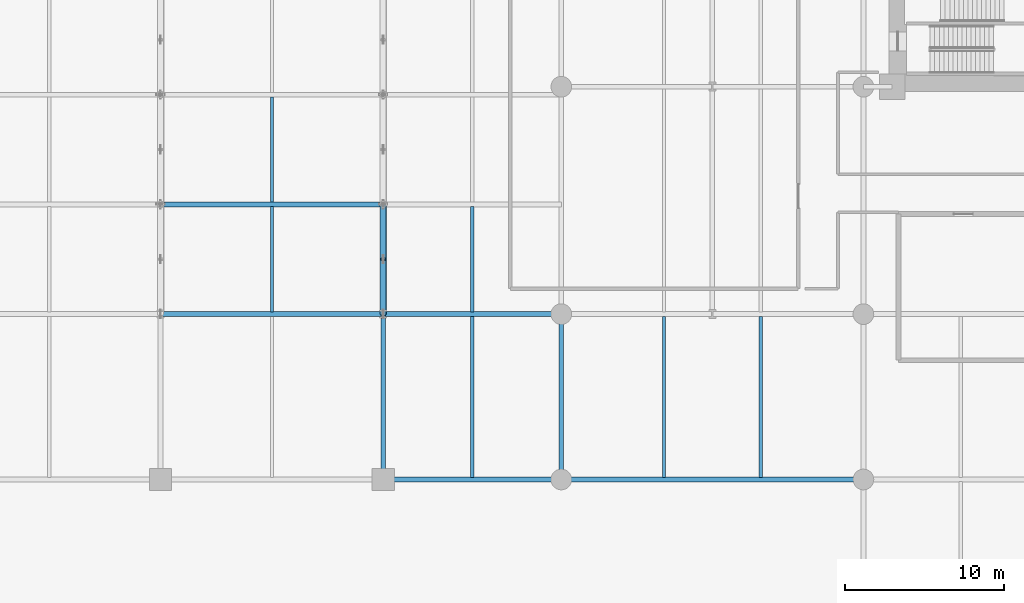
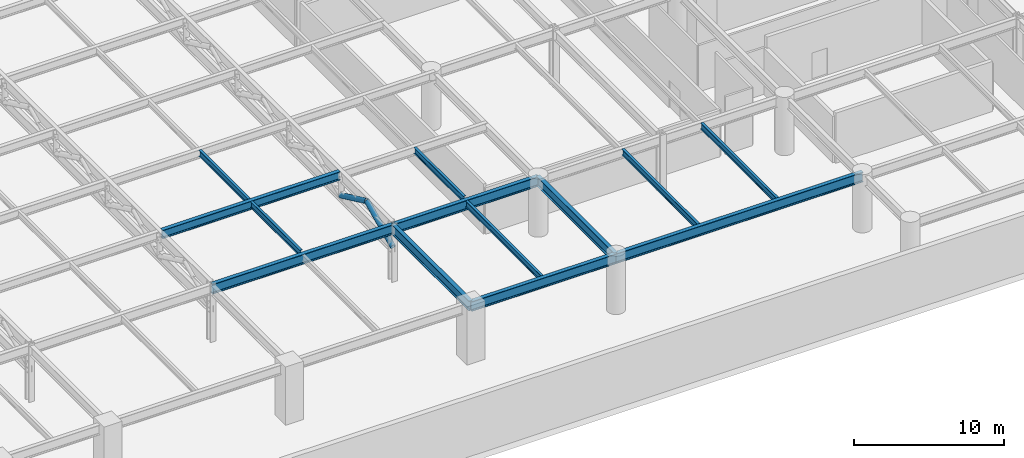
# One storey, part 6 of 40: 13 beams, 2 members.
"""IFC4 building model written with IfcOpenShell, lengths in metres."""

import ifcopenshell
import ifcopenshell.guid

model = None  # the IFC model being written
_history = None  # IfcOwnerHistory: only IFC2X3 demands one
_inside = {}  # id of a spatial element -> (the spatial element, [elements in it])
_under = {}  # id of a project, library or spatial element -> (it, [spatial elements below it])
_declared = {}  # id of a project -> (the project, [libraries it declares])
_typed = {}  # id of a type object -> (the type object, [elements of that type])
_made_of = {}  # id of a material, layer set ... -> (it, [elements and type objects made of it])


def new_model(schema):
    """Start an empty IFC model of exactly this schema.

    Asked for "IFC4X3", IfcOpenShell would pick the latest addendum, in which some entities
    have other attributes; the version numbers below select the first issue.
    IFC2X3 requires an IfcOwnerHistory on every rooted entity: one is made here for all.
    """
    global model, _history
    if schema == "IFC4X3":
        model = ifcopenshell.file(schema_version=(4, 3, 0, 0))
    else:
        model = ifcopenshell.file(schema=schema)
    _inside.clear()
    _under.clear()
    _declared.clear()
    _typed.clear()
    _made_of.clear()
    _history = None
    if model.schema == "IFC2X3":
        org = make("IfcOrganization", Name="unknown")
        user = make(
            "IfcPersonAndOrganization",
            ThePerson=make("IfcPerson", FamilyName="unknown"),
            TheOrganization=org,
        )
        app = make(
            "IfcApplication",
            ApplicationDeveloper=org,
            Version="unknown",
            ApplicationFullName="unknown",
            ApplicationIdentifier="unknown",
        )
        _history = make(
            "IfcOwnerHistory",
            OwningUser=user,
            OwningApplication=app,
            ChangeAction="ADDED",
            CreationDate=0,
        )
    return model


def make(cls, **values):
    """One entity of the class cls with the attributes given. An attribute that is None is left unset."""
    return model.create_entity(
        cls, **{name: value for name, value in values.items() if value is not None}
    )


def rooted(cls, **values):
    """An entity with a GlobalId (a new one), such as an element, a storey or a relation."""
    return make(cls, GlobalId=ifcopenshell.guid.new(), OwnerHistory=_history, **values)


def si_unit(unit_type, name, prefix=None):
    """IfcSIUnit, for example si_unit("LENGTHUNIT", "METRE", prefix="MILLI")."""
    return make("IfcSIUnit", UnitType=unit_type, Prefix=prefix, Name=name)


def assignment(units):
    """IfcUnitAssignment: the units of a project."""
    return None if units is None else make("IfcUnitAssignment", Units=units)


def point(xyz):
    """IfcCartesianPoint."""
    return None if xyz is None else make("IfcCartesianPoint", Coordinates=xyz)


def direction(xyz):
    """IfcDirection."""
    return None if xyz is None else make("IfcDirection", DirectionRatios=xyz)


def frame(location, z_axis=None, x_axis=None):
    """IfcAxis2Placement3D, a coordinate frame: its origin and axes. An axis left out is left unset."""
    return make(
        "IfcAxis2Placement3D",
        Location=point(location),
        Axis=direction(z_axis),
        RefDirection=direction(x_axis),
    )


def frame_2d(location, x_axis=None):
    """IfcAxis2Placement2D, a coordinate frame in the plane: its origin and x axis."""
    return make(
        "IfcAxis2Placement2D", Location=point(location), RefDirection=direction(x_axis)
    )


def origin():
    """The frame at (0, 0, 0) with its axes left unset."""
    return frame((0.0, 0.0, 0.0))


def origin_2d():
    """The frame at (0, 0) in the plane with its x axis left unset."""
    return frame_2d((0.0, 0.0))


def place(relative_to, where):
    """IfcLocalPlacement: puts the frame where relative to a parent placement (None: the world)."""
    return make(
        "IfcLocalPlacement", PlacementRelTo=relative_to, RelativePlacement=where
    )


def context(
    kind, dimensions, precision=None, world=None, true_north=None, identifier=None
):
    """IfcGeometricRepresentationContext, for example the 3D "Model" context."""
    return make(
        "IfcGeometricRepresentationContext",
        ContextIdentifier=identifier,
        ContextType=kind,
        CoordinateSpaceDimension=dimensions,
        Precision=precision,
        WorldCoordinateSystem=world,
        TrueNorth=true_north,
    )


def subcontext(parent, identifier, kind, view, scale=None):
    """IfcGeometricRepresentationSubContext, for example "Body" below "Model"."""
    return make(
        "IfcGeometricRepresentationSubContext",
        ContextIdentifier=identifier,
        ContextType=kind,
        ParentContext=parent,
        TargetScale=scale,
        TargetView=view,
    )


def project(units=None, contexts=None):
    """IfcProject with its units and contexts."""
    return rooted(
        "IfcProject",
        Name="project",
        RepresentationContexts=contexts,
        UnitsInContext=assignment(units),
    )


def spatial(cls, under=None, at=None, **own):
    """A site, building, storey or space (cls), placed at a placement, below another one or the project."""
    s = rooted(cls, ObjectPlacement=at, **own)
    if under is not None:
        _under.setdefault(under.id(), (under, []))[1].append(s)
    return s


def profile(cls, at=None, kind="AREA", **sizes):
    """A parametric profile (cls). Its sizes go by their IFC names, for example OverallWidth=200.0."""
    return make(cls, ProfileType=kind, Position=at, **sizes)


def hollow_circle(**sizes):
    """IfcCircleHollowProfileDef."""
    return profile("IfcCircleHollowProfileDef", **sizes)


def i_section(**sizes):
    """IfcIShapeProfileDef."""
    return profile("IfcIShapeProfileDef", **sizes)


def extrude(swept, where, along, depth):
    """IfcExtrudedAreaSolid: the profile swept, set in the frame where, extruded along a direction by depth."""
    return make(
        "IfcExtrudedAreaSolid",
        SweptArea=swept,
        Position=where,
        ExtrudedDirection=direction(along),
        Depth=depth,
    )


def shape(context_of_items, identifier, shape_type, items):
    """IfcShapeRepresentation: the items that make up one representation, for example the "Body"."""
    return make(
        "IfcShapeRepresentation",
        ContextOfItems=context_of_items,
        RepresentationIdentifier=identifier,
        RepresentationType=shape_type,
        Items=items,
    )


def material(Name=None, Category=None):
    """IfcMaterial."""
    return make("IfcMaterial", Name=Name, Category=Category)


def material_profile(
    of_material, cross_section, Name=None, Category=None, Priority=None
):
    """IfcMaterialProfile: a cross section and its material."""
    return make(
        "IfcMaterialProfile",
        Name=Name,
        Material=of_material,
        Profile=cross_section,
        Priority=Priority,
        Category=Category,
    )


def profile_set(profiles, Name=None, composite=None):
    """IfcMaterialProfileSet."""
    return make(
        "IfcMaterialProfileSet",
        Name=Name,
        MaterialProfiles=profiles,
        CompositeProfile=composite,
    )


def made_of(thing, what):
    """Note that an element or type object is made of a material, layer set ...; save() writes the relation."""
    if what is not None:
        _made_of.setdefault(what.id(), (what, []))[1].append(thing)
    return thing


def type_object(cls, material=None, **own):
    """A type object (cls), such as IfcWallType, which elements share."""
    return made_of(rooted(cls, **own), material)


def element(
    cls,
    number,
    at=None,
    inside=None,
    cuts=None,
    type_object=None,
    material=None,
    context=None,
    identifier="Body",
    shape_type=None,
    held_by="IfcProductDefinitionShape",
    body=None,
    shapes=None,
    **own,
):
    """One element of the class cls, such as IfcWall. Its Tag is "e" and its number.

    at: its placement. inside: the storey or other place that contains it. cuts: it is an
    opening in that element (IfcRelVoidsElement). A single representation is given by context,
    identifier, shape_type and body (its items); several are given by shapes. held_by: the class
    of the entity that holds the representations. save() writes the other relations.
    """
    e = rooted(cls, Tag="e%d" % number, ObjectPlacement=at, **own)
    if body is not None:
        shapes = [shape(context, identifier, shape_type, body)]
    if shapes is not None:
        e.Representation = make(held_by, Representations=shapes)
    if inside is not None:
        _inside.setdefault(inside.id(), (inside, []))[1].append(e)
    if cuts is not None:
        rooted(
            "IfcRelVoidsElement", RelatingBuildingElement=cuts, RelatedOpeningElement=e
        )
    if type_object is not None:
        _typed.setdefault(type_object.id(), (type_object, []))[1].append(e)
    return made_of(e, material)


def aggregate(whole, parts):
    """IfcRelAggregates: a whole, such as a stair, and the parts it consists of."""
    return rooted("IfcRelAggregates", RelatingObject=whole, RelatedObjects=parts)


def save(model, path):
    """Write the relations noted so far, then the file.

    IfcRelAggregates (storeys below a building ...), IfcRelContainedInSpatialStructure (elements
    in a storey), IfcRelDefinesByType, IfcRelAssociatesMaterial and IfcRelDeclares: one each for
    every whole, place, type object, material and project.
    """
    for whole, parts in _under.values():
        aggregate(whole, parts)
    for where, things in _inside.values():
        rooted(
            "IfcRelContainedInSpatialStructure",
            RelatedElements=things,
            RelatingStructure=where,
        )
    for kind, things in _typed.values():
        rooted("IfcRelDefinesByType", RelatedObjects=things, RelatingType=kind)
    for what, things in _made_of.values():
        rooted("IfcRelAssociatesMaterial", RelatedObjects=things, RelatingMaterial=what)
    for by, libraries in _declared.values():
        rooted("IfcRelDeclares", RelatingContext=by, RelatedDefinitions=libraries)
    model.write(path)


model = new_model("IFC4")

# Units and contexts
model_context = context("Model", 3, precision=1e-05, world=origin(), true_north=direction((0.0, 1.0)))
body_context = subcontext(model_context, "Body", "Model", "MODEL_VIEW")
ifc_project = project(units=[si_unit("LENGTHUNIT", "METRE"), si_unit("AREAUNIT", "SQUARE_METRE"), si_unit("VOLUMEUNIT", "CUBIC_METRE"), si_unit("PLANEANGLEUNIT", "RADIAN"), si_unit("MASSUNIT", "GRAM", prefix="KILO")], contexts=[model_context])

# Site, building, storey
site_placement = place(None, origin())
site = spatial("IfcSite", under=ifc_project, at=site_placement, CompositionType="ELEMENT")
building_placement = place(site_placement, origin())
building = spatial("IfcBuilding", under=site, at=building_placement, Name="Narakoshi Arena Tower", CompositionType="ELEMENT")
storey_placement = place(building_placement, frame((0.0, 0.0, 21.60009765625)))
storey = spatial("IfcBuildingStorey", under=building, at=storey_placement, Name="L05", CompositionType="ELEMENT", Elevation=21.60009765625)

# Beams
ifc_material_1 = material(Name="Structural steel S355J2", Category="steel")
ifc_material_profile_1 = material_profile(ifc_material_1, i_section(OverallWidth=0.300048828125, OverallDepth=0.699951171875, WebThickness=0.01708984375, FlangeThickness=0.031982421875, FilletRadius=0.027099609375, at=origin_2d()), Name="HE700B")
ifc_profile_set_1 = profile_set([ifc_material_profile_1], Name="Structural steel S355J2")
beam_type_1 = type_object("IfcBeamType", Name="BM-PRI-700", PredefinedType="BEAM", material=ifc_profile_set_1)
beam_1_placement = place(storey_placement, frame((26.14501953125, 27.300048828125, 4.429931640625), z_axis=(1.0, 0.0, 0.0), x_axis=(0.0, 1.0, 0.0)))
element("IfcBeam", 1, at=beam_1_placement, inside=storey, type_object=beam_type_1, Name="L05 Arena Roof Transverse Girder 1-26", PredefinedType="BEAM", context=body_context, shape_type="SweptSolid", body=[
    extrude(i_section(OverallWidth=0.300048828125, OverallDepth=0.699951171875, WebThickness=0.01708984375, FlangeThickness=0.031982421875, FilletRadius=0.027099609375, at=origin_2d()), origin(), (0.0, 0.0, 1.0), 13.7099609375),
])
ifc_material_2 = material(Name="Structural steel S460ML", Category="steel")
ifc_material_profile_2 = material_profile(ifc_material_2, i_section(OverallWidth=0.300048828125, OverallDepth=0.800048828125, WebThickness=0.017578125, FlangeThickness=0.032958984375, FilletRadius=0.030029296875, at=origin_2d()), Name="HE800B")
ifc_profile_set_2 = profile_set([ifc_material_profile_2], Name="Structural steel S460ML")
beam_type_2 = type_object("IfcBeamType", Name="BM-PRI-800", PredefinedType="BEAM", material=ifc_profile_set_2)
beam_2_placement = place(storey_placement, frame((40.0, 10.0, 4.199951171875), z_axis=(1.0, 0.0, 0.0), x_axis=(0.0, 1.0, 0.0)))
element("IfcBeam", 2, at=beam_2_placement, inside=storey, type_object=beam_type_2, Name="L05 Podium Primary X-Girder 008", PredefinedType="BEAM", context=body_context, shape_type="SweptSolid", body=[
    extrude(i_section(OverallWidth=0.300048828125, OverallDepth=0.800048828125, WebThickness=0.017578125, FlangeThickness=0.032958984375, FilletRadius=0.030029296875, at=origin_2d()), origin(), (0.0, 0.0, 1.0), 11.199951171875),
])
beam_3_placement = place(storey_placement, frame((51.199951171875, 10.0, 4.199951171875), z_axis=(1.0, 0.0, 0.0), x_axis=(0.0, 1.0, 0.0)))
element("IfcBeam", 3, at=beam_3_placement, inside=storey, type_object=beam_type_2, Name="L05 Podium Primary X-Girder 009", PredefinedType="BEAM", context=body_context, shape_type="SweptSolid", body=[
    extrude(i_section(OverallWidth=0.300048828125, OverallDepth=0.800048828125, WebThickness=0.017578125, FlangeThickness=0.032958984375, FilletRadius=0.030029296875, at=origin_2d()), origin(), (0.0, 0.0, 1.0), 19.0),
])
beam_4_placement = place(storey_placement, frame((26.0, 20.39990234375, 4.199951171875), z_axis=(1.0, 0.0, 0.0), x_axis=(0.0, 1.0, 0.0)))
element("IfcBeam", 4, at=beam_4_placement, inside=storey, type_object=beam_type_2, Name="L05 Podium Primary X-Girder 016", PredefinedType="BEAM", context=body_context, shape_type="SweptSolid", body=[
    extrude(i_section(OverallWidth=0.300048828125, OverallDepth=0.800048828125, WebThickness=0.017578125, FlangeThickness=0.032958984375, FilletRadius=0.030029296875, at=origin_2d()), origin(), (0.0, 0.0, 1.0), 14.0),
])
beam_5_placement = place(storey_placement, frame((40.0, 20.39990234375, 4.199951171875), z_axis=(1.0, 0.0, 0.0), x_axis=(0.0, 1.0, 0.0)))
element("IfcBeam", 5, at=beam_5_placement, inside=storey, type_object=beam_type_2, Name="L05 Podium Primary X-Girder 017", PredefinedType="BEAM", context=body_context, shape_type="SweptSolid", body=[
    extrude(i_section(OverallWidth=0.300048828125, OverallDepth=0.800048828125, WebThickness=0.017578125, FlangeThickness=0.032958984375, FilletRadius=0.030029296875, at=origin_2d()), origin(), (0.0, 0.0, 1.0), 11.199951171875),
])
for number, where, z_axis, x_axis, name in (
    (6, (40.0, 10.0, 4.199951171875), (0.0, 1.0, 0.0), (-1.0, 0.0, 0.0), "L05 Podium Primary Y-Girder 078"),
    (7, (51.199951171875, 10.0, 4.199951171875), (0.0, 1.0, 0.0), (-1.0, 0.0, 0.0), "L05 Podium Primary Y-Girder 080"),
):
    element("IfcBeam", number, at=place(storey_placement, frame(where, z_axis=z_axis, x_axis=x_axis)), inside=storey, type_object=beam_type_2, Name=name, PredefinedType="BEAM", context=body_context, shape_type="SweptSolid", body=[
        extrude(i_section(OverallWidth=0.300048828125, OverallDepth=0.800048828125, WebThickness=0.017578125, FlangeThickness=0.032958984375, FilletRadius=0.030029296875, at=origin_2d()), origin(), (0.0, 0.0, 1.0), 10.39990234375),
    ])
ifc_material_profile_3 = material_profile(ifc_material_1, i_section(OverallWidth=0.199951171875, OverallDepth=0.5, WebThickness=0.01025390625, FlangeThickness=0.01611328125, FilletRadius=0.02099609375, at=origin_2d()), Name="IPE500")
ifc_profile_set_3 = profile_set([ifc_material_profile_3], Name="Structural steel S355J2")
beam_type_3 = type_object("IfcBeamType", Name="BM-SEC-500", PredefinedType="JOIST", material=ifc_profile_set_3)
for number, where, z_axis, x_axis, name in (
    (8, (45.60009765625, 10.135009765625, 4.349853515625), (0.0, 1.0, 0.0), (-1.0, 0.0, 0.0), "L05 Podium Composite Floor Joist 007"),
    (9, (57.659912109375, 10.135009765625, 4.349853515625), (0.0, 1.0, 0.0), (-1.0, 0.0, 0.0), "L05 Podium Composite Floor Joist 009"),
    (10, (63.739990234375, 10.135009765625, 4.349853515625), (0.0, 1.0, 0.0), (-1.0, 0.0, 0.0), "L05 Podium Composite Floor Joist 015"),
):
    element("IfcBeam", number, at=place(storey_placement, frame(where, z_axis=z_axis, x_axis=x_axis)), inside=storey, type_object=beam_type_3, Name=name, PredefinedType="JOIST", context=body_context, shape_type="SweptSolid", body=[
        extrude(i_section(OverallWidth=0.199951171875, OverallDepth=0.5, WebThickness=0.01025390625, FlangeThickness=0.01611328125, FilletRadius=0.02099609375, at=origin_2d()), origin(), (0.0, 0.0, 1.0), 10.1298828125),
    ])
beam_6_placement = place(storey_placement, frame((33.0, 20.544921875, 4.52978515625), z_axis=(0.0, 1.0, 0.0), x_axis=(-1.0, 0.0, 0.0)))
element("IfcBeam", 11, at=beam_6_placement, inside=storey, type_object=beam_type_3, Name="L05 Arena Roof Secondary Joist 26-1", PredefinedType="JOIST", context=body_context, shape_type="SweptSolid", body=[
    extrude(i_section(OverallWidth=0.199951171875, OverallDepth=0.5, WebThickness=0.01025390625, FlangeThickness=0.01611328125, FilletRadius=0.02099609375, at=origin_2d()), origin(), (0.0, 0.0, 1.0), 6.610107421875),
])
beam_7_placement = place(storey_placement, frame((33.0, 27.445068359375, 4.52978515625), z_axis=(0.0, 1.0, 0.0), x_axis=(-1.0, 0.0, 0.0)))
element("IfcBeam", 12, at=beam_7_placement, inside=storey, type_object=beam_type_3, Name="L05 Arena Roof Secondary Joist 26-2", PredefinedType="JOIST", context=body_context, shape_type="SweptSolid", body=[
    extrude(i_section(OverallWidth=0.199951171875, OverallDepth=0.5, WebThickness=0.01025390625, FlangeThickness=0.01611328125, FilletRadius=0.02099609375, at=origin_2d()), origin(), (0.0, 0.0, 1.0), 6.60986328125),
])
beam_8_placement = place(storey_placement, frame((45.60009765625, 20.544921875, 4.52978515625), z_axis=(0.0, 1.0, 0.0), x_axis=(-1.0, 0.0, 0.0)))
element("IfcBeam", 13, at=beam_8_placement, inside=storey, type_object=beam_type_3, Name="L05 Arena Roof Secondary Joist 40-1", PredefinedType="JOIST", context=body_context, shape_type="SweptSolid", body=[
    extrude(i_section(OverallWidth=0.199951171875, OverallDepth=0.5, WebThickness=0.01025390625, FlangeThickness=0.01611328125, FilletRadius=0.02099609375, at=origin_2d()), origin(), (0.0, 0.0, 1.0), 6.610107421875),
])

# Members
ifc_material_profile_4 = material_profile(ifc_material_2, hollow_circle(Radius=0.203125, WallThickness=0.01611328125, at=origin_2d()), Name="CHS406x16")
ifc_profile_set_4 = profile_set([ifc_material_profile_4], Name="Structural steel S460ML")
member_type = type_object("IfcMemberType", Name="MEM-ARN-406", PredefinedType="CHORD", material=ifc_profile_set_4)
member_1_placement = place(storey_placement, frame((40.0, 20.39990234375, 2.699951171875), z_axis=(0.0, 0.904679377383, 0.426092975931), x_axis=(-1.0, 0.0, 0.0)))
element("IfcMember", 14, at=member_1_placement, inside=storey, type_object=member_type, Name="L05 Arena Roof Truss 3 Web Diagonal 1A", PredefinedType="CHORD", context=body_context, shape_type="SweptSolid", body=[
    extrude(hollow_circle(Radius=0.203125, WallThickness=0.01611328125, at=origin_2d()), origin(), (0.0, 0.0, 1.0), 3.813720703125),
])
member_2_placement = place(storey_placement, frame((40.0, 23.85009765625, 4.324951171875), z_axis=(0.0, 0.904667753866, -0.426117654075), x_axis=(-1.0, 0.0, 0.0)))
element("IfcMember", 15, at=member_2_placement, inside=storey, type_object=member_type, Name="L05 Arena Roof Truss 3 Web Diagonal 1B", PredefinedType="CHORD", context=body_context, shape_type="SweptSolid", body=[
    extrude(hollow_circle(Radius=0.203125, WallThickness=0.01611328125, at=origin_2d()), origin(), (0.0, 0.0, 1.0), 3.8134765625),
])

save(model, "model.ifc")
